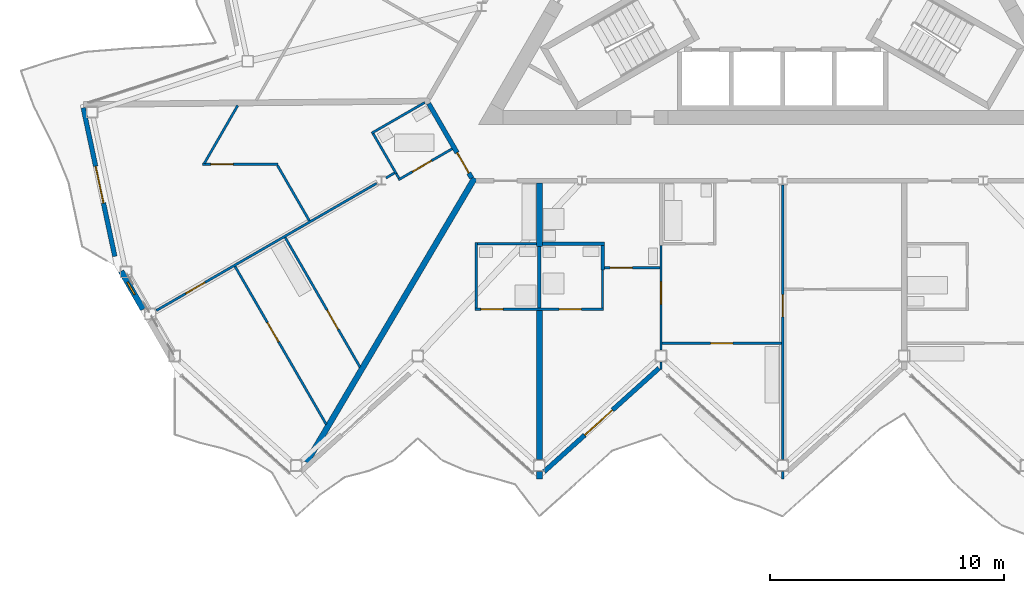
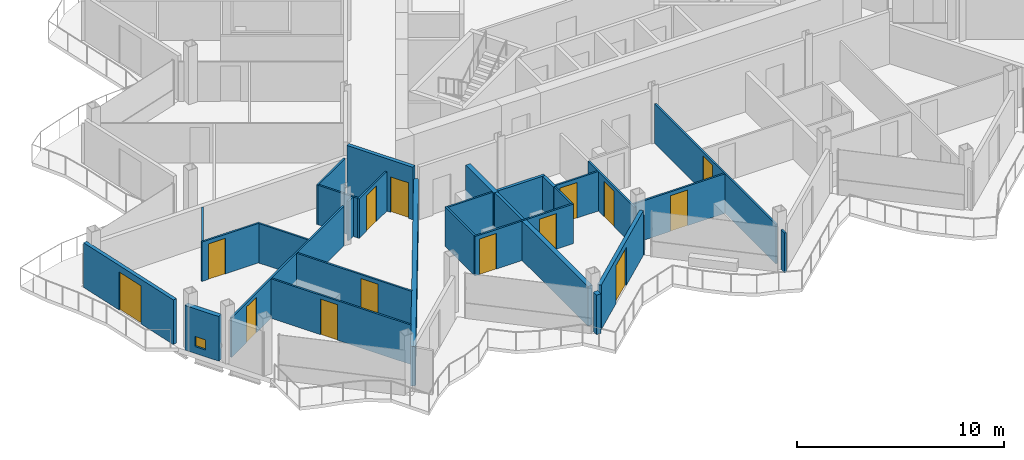
# One storey, part 12 of 26: 32 walls, 14 doors, 1 window, 15 openings.
"""IFC4 building model written with IfcOpenShell, lengths in metres."""

from ifc_helpers import new_model, si_unit, direction, frame, frame_2d, origin, place, context, subcontext, project, spatial, rectangle, extrude, material, layer, layer_set, type_object, element, fill, save


model = new_model("IFC4")

# Units and contexts
model_context = context("Model", 3, precision=1e-05, world=origin(), true_north=direction((0.0, 1.0)))
body_context = subcontext(model_context, "Body", "Model", "MODEL_VIEW")
ifc_project = project(units=[si_unit("LENGTHUNIT", "METRE"), si_unit("AREAUNIT", "SQUARE_METRE"), si_unit("VOLUMEUNIT", "CUBIC_METRE"), si_unit("PLANEANGLEUNIT", "RADIAN"), si_unit("MASSUNIT", "GRAM", prefix="KILO")], contexts=[model_context])

# Site, building, storey
site_placement = place(None, origin())
site = spatial("IfcSite", under=ifc_project, at=site_placement, CompositionType="ELEMENT")
building_placement = place(site_placement, origin())
building = spatial("IfcBuilding", under=site, at=building_placement, Name="Cormorant Prow Tower", CompositionType="ELEMENT")
storey_placement = place(building_placement, frame((0.0, 0.0, 374.60009765625)))
storey = spatial("IfcBuildingStorey", under=building, at=storey_placement, Name="L84", CompositionType="ELEMENT", Elevation=374.60009765625)

# Wall, opening, door
ifc_material_1 = material(Name="Gypsum board corridor wall")
ifc_layer_1 = layer(ifc_material_1, 0.199951171875)
ifc_layer_set_1 = layer_set([ifc_layer_1], Name="Gypsum board corridor wall")
wall_type_1 = type_object("IfcWallType", Name="Corridor wall 200", PredefinedType="PARTITIONING", material=ifc_layer_set_1)
wall_1_placement = place(storey_placement, frame((-15.13134765625, -6.61376953125, 0.0), z_axis=(0.0, 0.0, 1.0), x_axis=(0.499967746641, -0.866044024469, 0.0)))
wall_1 = element("IfcWall", 1, at=wall_1_placement, inside=storey, type_object=wall_type_1, Name="Corridor wall", PredefinedType="PARTITIONING", context=body_context, shape_type="SweptSolid", body=[
    extrude(rectangle(XDim=3.676025390625, YDim=0.199951171875, at=frame_2d((1.837890625, 0.0))), origin(), (0.0, 0.0, 1.0), 3.099853515625),
])
opening_1_placement = place(wall_1_placement, frame((2.426025390625, 0.0, 0.0)))
opening_1 = element("IfcOpeningElement", 2, at=opening_1_placement, cuts=wall_1, Name="Opening L84-F53", PredefinedType="OPENING", context=body_context, shape_type="SweptSolid", body=[
    extrude(rectangle(XDim=1.0, YDim=2.10009765625, at=frame_2d((0.5, 1.050048828125))), frame((0.0, 0.10986328125, 0.0), z_axis=(0.0, -1.0, 0.0), x_axis=(1.0, 0.0, 0.0)), (0.0, 0.0, 1.0), 0.219970703125),
])
ifc_material_2 = material(Name="Timber door leaf", Category="wood")
door_type_1 = type_object("IfcDoorType", Name="Flat or room entrance door 1000x2100", OperationType="NOTDEFINED", PredefinedType="DOOR", material=ifc_material_2)
door_1_placement = place(opening_1_placement, origin())
door_1 = element("IfcDoor", 3, at=door_1_placement, inside=storey, type_object=door_type_1, Name="Living room door", OperationType="SINGLE_SWING_RIGHT", OverallHeight=2.10009765625, OverallWidth=1.0, PredefinedType="DOOR", context=body_context, shape_type="SweptSolid", body=[
    extrude(rectangle(XDim=1.0, YDim=2.10009765625, at=frame_2d((0.5, 1.050048828125))), frame((0.0, 0.02490234375, 0.0), z_axis=(0.0, -1.0, 0.0), x_axis=(1.0, 0.0, 0.0)), (0.0, 0.0, 1.0), 0.050048828125),
])
fill(opening_1, door_1)

ifc_material_3 = material(Name="Gypsum board partition")
ifc_layer_2 = layer(ifc_material_3, 0.10009765625)
ifc_layer_set_2 = layer_set([ifc_layer_2], Name="Gypsum board partition")
wall_type_2 = type_object("IfcWallType", Name="Internal partition 100", PredefinedType="PARTITIONING", material=ifc_layer_set_2)
wall_2_placement = place(storey_placement, frame((0.0, -21.827880859375, 0.0), z_axis=(0.0, 0.0, 1.0), x_axis=(0.0, 1.0, 0.0)))
wall_2 = element("IfcWall", 4, at=wall_2_placement, inside=storey, type_object=wall_type_2, Name="Internal partition", PredefinedType="PARTITIONING", context=body_context, shape_type="SweptSolid", body=[
    extrude(rectangle(XDim=11.725341796875, YDim=0.10009765625, at=frame_2d((5.86279296875, 0.0))), origin(), (0.0, 0.0, 1.0), 2.330078125),
])
opening_2_placement = place(wall_2_placement, frame((6.0927734375, 0.0, 0.0)))
opening_2 = element("IfcOpeningElement", 5, at=opening_2_placement, cuts=wall_2, Name="Opening L84-F08", PredefinedType="OPENING", context=body_context, shape_type="SweptSolid", body=[
    extrude(rectangle(XDim=0.949951171875, YDim=2.10009765625, at=frame_2d((0.47509765625, 1.050048828125))), frame((0.0, 0.06005859375, 0.0), z_axis=(0.0, -1.0, 0.0), x_axis=(1.0, 0.0, 0.0)), (0.0, 0.0, 1.0), 0.1201171875),
])
ifc_material_4 = material(Name="Timber door leaf", Category="wood")
door_type_2 = type_object("IfcDoorType", Name="Bathroom door 950x2100", OperationType="NOTDEFINED", PredefinedType="DOOR", material=ifc_material_4)
door_2_placement = place(opening_2_placement, origin())
door_2 = element("IfcDoor", 6, at=door_2_placement, inside=storey, type_object=door_type_2, Name="Living room door", OperationType="SINGLE_SWING_RIGHT", OverallHeight=2.10009765625, OverallWidth=0.949951171875, PredefinedType="DOOR", context=body_context, shape_type="SweptSolid", body=[
    extrude(rectangle(XDim=0.949951171875, YDim=2.10009765625, at=frame_2d((0.47509765625, 1.050048828125))), frame((0.0, 0.02490234375, 0.0), z_axis=(0.0, -1.0, 0.0), x_axis=(1.0, 0.0, 0.0)), (0.0, 0.0, 1.0), 0.050048828125),
])
fill(opening_2, door_2)

wall_3_placement = place(storey_placement, frame((-26.77685546875, -15.459716796875, 0.0), z_axis=(0.0, 0.0, 1.0), x_axis=(0.866019680922, 0.500009912158, 0.0)))
wall_3 = element("IfcWall", 7, at=wall_3_placement, inside=storey, type_object=wall_type_2, Name="Internal partition", PredefinedType="PARTITIONING", context=body_context, shape_type="SweptSolid", body=[
    extrude(rectangle(XDim=10.880615234375, YDim=0.10009765625, at=frame_2d((5.4404296875, 0.0))), origin(), (0.0, 0.0, 1.0), 2.330078125),
])
opening_3_placement = place(wall_3_placement, frame((1.453857421875, 0.0, 0.0)))
opening_3 = element("IfcOpeningElement", 8, at=opening_3_placement, cuts=wall_3, Name="Opening L84-F57", PredefinedType="OPENING", context=body_context, shape_type="SweptSolid", body=[
    extrude(rectangle(XDim=0.949951171875, YDim=2.10009765625, at=frame_2d((0.47509765625, 1.050048828125))), frame((0.0, 0.06005859375, 0.0), z_axis=(0.0, -1.0, 0.0), x_axis=(1.0, 0.0, 0.0)), (0.0, 0.0, 1.0), 0.1201171875),
])
door_3_placement = place(opening_3_placement, origin())
door_3 = element("IfcDoor", 9, at=door_3_placement, inside=storey, type_object=door_type_2, Name="Dining room door", OperationType="SINGLE_SWING_LEFT", OverallHeight=2.10009765625, OverallWidth=0.949951171875, PredefinedType="DOOR", context=body_context, shape_type="SweptSolid", body=[
    extrude(rectangle(XDim=0.949951171875, YDim=2.10009765625, at=frame_2d((0.47509765625, 1.050048828125))), frame((0.0, 0.02490234375, 0.0), z_axis=(0.0, -1.0, 0.0), x_axis=(1.0, 0.0, 0.0)), (0.0, 0.0, 1.0), 0.050048828125),
])
fill(opening_3, door_3)

wall_4_placement = place(storey_placement, frame((-23.41259765625, -13.574951171875, 0.0), z_axis=(0.0, 0.0, 1.0), x_axis=(0.499998958472, -0.86602600511, 0.0)))
wall_4 = element("IfcWall", 10, at=wall_4_placement, inside=storey, type_object=wall_type_2, Name="Internal partition", PredefinedType="PARTITIONING", context=body_context, shape_type="SweptSolid", body=[
    extrude(rectangle(XDim=7.7958984375, YDim=0.10009765625, at=frame_2d((3.89794921875, 0.0))), origin(), (0.0, 0.0, 1.0), 2.330078125),
])
opening_4_placement = place(wall_4_placement, frame((2.76806640625, 0.0, 0.0)))
opening_4 = element("IfcOpeningElement", 11, at=opening_4_placement, cuts=wall_4, Name="Opening L84-F56", PredefinedType="OPENING", context=body_context, shape_type="SweptSolid", body=[
    extrude(rectangle(XDim=0.949951171875, YDim=2.10009765625, at=frame_2d((0.47509765625, 1.050048828125))), frame((0.0, 0.06005859375, 0.0), z_axis=(0.0, -1.0, 0.0), x_axis=(1.0, 0.0, 0.0)), (0.0, 0.0, 1.0), 0.1201171875),
])
door_4_placement = place(opening_4_placement, origin())
door_4 = element("IfcDoor", 12, at=door_4_placement, inside=storey, type_object=door_type_2, Name="Kitchen door", OperationType="SINGLE_SWING_LEFT", OverallHeight=2.10009765625, OverallWidth=0.949951171875, PredefinedType="DOOR", context=body_context, shape_type="SweptSolid", body=[
    extrude(rectangle(XDim=0.949951171875, YDim=2.10009765625, at=frame_2d((0.47509765625, 1.050048828125))), frame((0.0, 0.02490234375, 0.0), z_axis=(0.0, -1.0, 0.0), x_axis=(1.0, 0.0, 0.0)), (0.0, 0.0, 1.0), 0.050048828125),
])
fill(opening_4, door_4)

wall_5_placement = place(storey_placement, frame((-21.269287109375, -12.33740234375, 0.0), z_axis=(0.0, 0.0, 1.0), x_axis=(0.499983315828, -0.866035036182, 0.0)))
wall_5 = element("IfcWall", 13, at=wall_5_placement, inside=storey, type_object=wall_type_2, Name="Internal partition", PredefinedType="PARTITIONING", context=body_context, shape_type="SweptSolid", body=[
    extrude(rectangle(XDim=6.400146484375, YDim=0.10009765625, at=frame_2d((3.2001953125, 0.0))), origin(), (0.0, 0.0, 1.0), 2.330078125),
])
opening_5_placement = place(wall_5_placement, frame((3.583740234375, 0.0, 0.0)))
opening_5 = element("IfcOpeningElement", 14, at=opening_5_placement, cuts=wall_5, Name="Opening L84-F55", PredefinedType="OPENING", context=body_context, shape_type="SweptSolid", body=[
    extrude(rectangle(XDim=0.949951171875, YDim=2.10009765625, at=frame_2d((0.47509765625, 1.050048828125))), frame((0.0, 0.06005859375, 0.0), z_axis=(0.0, -1.0, 0.0), x_axis=(1.0, 0.0, 0.0)), (0.0, 0.0, 1.0), 0.1201171875),
])
door_5_placement = place(opening_5_placement, origin())
door_5 = element("IfcDoor", 15, at=door_5_placement, inside=storey, type_object=door_type_2, Name="Living room door", OperationType="SINGLE_SWING_LEFT", OverallHeight=2.10009765625, OverallWidth=0.949951171875, PredefinedType="DOOR", context=body_context, shape_type="SweptSolid", body=[
    extrude(rectangle(XDim=0.949951171875, YDim=2.10009765625, at=frame_2d((0.47509765625, 1.050048828125))), frame((0.0, 0.02490234375, 0.0), z_axis=(0.0, -1.0, 0.0), x_axis=(1.0, 0.0, 0.0)), (0.0, 0.0, 1.0), 0.050048828125),
])
fill(opening_5, door_5)

# Wall, openings, doors
wall_6_placement = place(storey_placement, frame((-13.14990234375, -15.405517578125, 0.0), z_axis=(0.0, 0.0, 1.0), x_axis=(1.0, 0.0, 0.0)))
wall_6 = element("IfcWall", 16, at=wall_6_placement, inside=storey, type_object=wall_type_2, Name="Internal partition", PredefinedType="PARTITIONING", context=body_context, shape_type="SweptSolid", body=[
    extrude(rectangle(XDim=5.5, YDim=0.10009765625, at=frame_2d((2.75, 0.0))), origin(), (0.0, 0.0, 1.0), 2.330078125),
])
opening_6_placement = place(wall_6_placement, frame((0.25, 0.0, 0.0)))
opening_6 = element("IfcOpeningElement", 17, at=opening_6_placement, cuts=wall_6, Name="Opening L84-F02", PredefinedType="OPENING", context=body_context, shape_type="SweptSolid", body=[
    extrude(rectangle(XDim=0.949951171875, YDim=2.10009765625, at=frame_2d((0.47509765625, 1.050048828125))), frame((0.0, 0.06005859375, 0.0), z_axis=(0.0, -1.0, 0.0), x_axis=(1.0, 0.0, 0.0)), (0.0, 0.0, 1.0), 0.1201171875),
])
opening_7_placement = place(wall_6_placement, frame((3.59130859375, 0.0, 0.0)))
opening_7 = element("IfcOpeningElement", 18, at=opening_7_placement, cuts=wall_6, Name="Opening L84-F10", PredefinedType="OPENING", context=body_context, shape_type="SweptSolid", body=[
    extrude(rectangle(XDim=0.949951171875, YDim=2.10009765625, at=frame_2d((0.47509765625, 1.050048828125))), frame((0.0, 0.06005859375, 0.0), z_axis=(0.0, -1.0, 0.0), x_axis=(1.0, 0.0, 0.0)), (0.0, 0.0, 1.0), 0.1201171875),
])
door_6_placement = place(opening_6_placement, origin())
door_6 = element("IfcDoor", 19, at=door_6_placement, inside=storey, type_object=door_type_2, Name="Studio living, kitchen and sleeping room door", OperationType="SINGLE_SWING_LEFT", OverallHeight=2.10009765625, OverallWidth=0.949951171875, PredefinedType="DOOR", context=body_context, shape_type="SweptSolid", body=[
    extrude(rectangle(XDim=0.949951171875, YDim=2.10009765625, at=frame_2d((0.47509765625, 1.050048828125))), frame((0.0, 0.02490234375, 0.0), z_axis=(0.0, -1.0, 0.0), x_axis=(1.0, 0.0, 0.0)), (0.0, 0.0, 1.0), 0.050048828125),
])
fill(opening_6, door_6)
door_7_placement = place(opening_7_placement, origin())
door_7 = element("IfcDoor", 20, at=door_7_placement, inside=storey, type_object=door_type_2, Name="Bedroom door", OperationType="SINGLE_SWING_LEFT", OverallHeight=2.10009765625, OverallWidth=0.949951171875, PredefinedType="DOOR", context=body_context, shape_type="SweptSolid", body=[
    extrude(rectangle(XDim=0.949951171875, YDim=2.10009765625, at=frame_2d((0.47509765625, 1.050048828125))), frame((0.0, 0.02490234375, 0.0), z_axis=(0.0, -1.0, 0.0), x_axis=(1.0, 0.0, 0.0)), (0.0, 0.0, 1.0), 0.050048828125),
])
fill(opening_7, door_7)

# Wall, opening, door
wall_7_placement = place(storey_placement, frame((-5.14990234375, -16.863037109375, 0.0), z_axis=(0.0, 0.0, 1.0), x_axis=(1.0, 0.0, 0.0)))
wall_7 = element("IfcWall", 21, at=wall_7_placement, inside=storey, type_object=wall_type_2, Name="Internal partition", PredefinedType="PARTITIONING", context=body_context, shape_type="SweptSolid", body=[
    extrude(rectangle(XDim=5.099853515625, YDim=0.10009765625, at=frame_2d((2.5498046875, 0.0))), origin(), (0.0, 0.0, 1.0), 2.330078125),
])
opening_8_placement = place(wall_7_placement, frame((2.074951171875, 0.0, 0.0)))
opening_8 = element("IfcOpeningElement", 22, at=opening_8_placement, cuts=wall_7, Name="Opening L84-F05", PredefinedType="OPENING", context=body_context, shape_type="SweptSolid", body=[
    extrude(rectangle(XDim=0.949951171875, YDim=2.10009765625, at=frame_2d((0.47509765625, 1.050048828125))), frame((0.0, 0.06005859375, 0.0), z_axis=(0.0, -1.0, 0.0), x_axis=(1.0, 0.0, 0.0)), (0.0, 0.0, 1.0), 0.1201171875),
])
door_8_placement = place(opening_8_placement, origin())
door_8 = element("IfcDoor", 23, at=door_8_placement, inside=storey, type_object=door_type_2, Name="Living room door", OperationType="SINGLE_SWING_RIGHT", OverallHeight=2.10009765625, OverallWidth=0.949951171875, PredefinedType="DOOR", context=body_context, shape_type="SweptSolid", body=[
    extrude(rectangle(XDim=0.949951171875, YDim=2.10009765625, at=frame_2d((0.47509765625, 1.050048828125))), frame((0.0, 0.02490234375, 0.0), z_axis=(0.0, -1.0, 0.0), x_axis=(1.0, 0.0, 0.0)), (0.0, 0.0, 1.0), 0.050048828125),
])
fill(opening_8, door_8)

wall_8_placement = place(storey_placement, frame((-5.199951171875, -17.145751953125, 0.0), z_axis=(0.0, 0.0, 1.0), x_axis=(0.0, 1.0, 0.0)))
wall_8 = element("IfcWall", 24, at=wall_8_placement, inside=storey, type_object=wall_type_2, Name="Internal partition", PredefinedType="PARTITIONING", context=body_context, shape_type="SweptSolid", body=[
    extrude(rectangle(XDim=4.465087890625, YDim=0.10009765625, at=frame_2d((2.232421875, 0.0))), origin(), (0.0, 0.0, 1.0), 2.330078125),
])
opening_9_placement = place(wall_8_placement, frame((1.95849609375, 0.0, 0.0)))
opening_9 = element("IfcOpeningElement", 25, at=opening_9_placement, cuts=wall_8, Name="Opening L84-F06", PredefinedType="OPENING", context=body_context, shape_type="SweptSolid", body=[
    extrude(rectangle(XDim=0.949951171875, YDim=2.10009765625, at=frame_2d((0.47509765625, 1.050048828125))), frame((0.0, 0.06005859375, 0.0), z_axis=(0.0, -1.0, 0.0), x_axis=(1.0, 0.0, 0.0)), (0.0, 0.0, 1.0), 0.1201171875),
])
door_9_placement = place(opening_9_placement, origin())
door_9 = element("IfcDoor", 26, at=door_9_placement, inside=storey, type_object=door_type_2, Name="Living room door", OperationType="SINGLE_SWING_RIGHT", OverallHeight=2.10009765625, OverallWidth=0.949951171875, PredefinedType="DOOR", context=body_context, shape_type="SweptSolid", body=[
    extrude(rectangle(XDim=0.949951171875, YDim=2.10009765625, at=frame_2d((0.47509765625, 1.050048828125))), frame((0.0, 0.02490234375, 0.0), z_axis=(0.0, -1.0, 0.0), x_axis=(1.0, 0.0, 0.0)), (0.0, 0.0, 1.0), 0.050048828125),
])
fill(opening_9, door_9)

wall_9_placement = place(storey_placement, frame((-24.80078125, -9.21240234375, 0.0), z_axis=(0.0, 0.0, 1.0), x_axis=(1.0, 0.0, 0.0)))
wall_9 = element("IfcWall", 27, at=wall_9_placement, inside=storey, type_object=wall_type_2, Name="Internal partition", PredefinedType="PARTITIONING", context=body_context, shape_type="SweptSolid", body=[
    extrude(rectangle(XDim=3.2255859375, YDim=0.10009765625, at=frame_2d((1.61279296875, 0.0))), origin(), (0.0, 0.0, 1.0), 2.330078125),
])
opening_10_placement = place(wall_9_placement, frame((0.3544921875, 0.0, 0.0)))
opening_10 = element("IfcOpeningElement", 28, at=opening_10_placement, cuts=wall_9, Name="Opening L84-F58", PredefinedType="OPENING", context=body_context, shape_type="SweptSolid", body=[
    extrude(rectangle(XDim=0.949951171875, YDim=2.10009765625, at=frame_2d((0.47509765625, 1.050048828125))), frame((0.0, 0.06005859375, 0.0), z_axis=(0.0, -1.0, 0.0), x_axis=(1.0, 0.0, 0.0)), (0.0, 0.0, 1.0), 0.1201171875),
])
door_10_placement = place(opening_10_placement, origin())
door_10 = element("IfcDoor", 29, at=door_10_placement, inside=storey, type_object=door_type_2, Name="Principal bedroom door", OperationType="SINGLE_SWING_LEFT", OverallHeight=2.10009765625, OverallWidth=0.949951171875, PredefinedType="DOOR", context=body_context, shape_type="SweptSolid", body=[
    extrude(rectangle(XDim=0.949951171875, YDim=2.10009765625, at=frame_2d((0.47509765625, 1.050048828125))), frame((0.0, 0.02490234375, 0.0), z_axis=(0.0, -1.0, 0.0), x_axis=(1.0, 0.0, 0.0)), (0.0, 0.0, 1.0), 0.050048828125),
])
fill(opening_10, door_10)

# Walls
wall_10_placement = place(storey_placement, frame((-24.725830078125, -9.169189453125, 0.0), z_axis=(0.0, 0.0, 1.0), x_axis=(0.499971481985, 0.866041868042, 0.0)))
element("IfcWall", 30, at=wall_10_placement, inside=storey, type_object=wall_type_2, Name="Internal partition", PredefinedType="PARTITIONING", context=body_context, shape_type="SweptSolid", body=[
    extrude(rectangle(XDim=2.857177734375, YDim=0.10009765625, at=frame_2d((1.4287109375, 0.0))), origin(), (0.0, 0.0, 1.0), 2.330078125),
])
wall_11_placement = place(storey_placement, frame((-21.60009765625, -9.255859375, 0.0), z_axis=(0.0, 0.0, 1.0), x_axis=(0.500018733116, -0.866014587945, 0.0)))
element("IfcWall", 31, at=wall_11_placement, inside=storey, type_object=wall_type_2, Name="Internal partition", PredefinedType="PARTITIONING", context=body_context, shape_type="SweptSolid", body=[
    extrude(rectangle(XDim=2.734375, YDim=0.10009765625, at=frame_2d((1.3671875, 0.0))), origin(), (0.0, 0.0, 1.0), 2.330078125),
])
wall_12_placement = place(storey_placement, frame((-13.10009765625, -15.355712890625, 0.0), z_axis=(0.0, 0.0, 1.0), x_axis=(0.0, 1.0, 0.0)))
element("IfcWall", 32, at=wall_12_placement, inside=storey, type_object=wall_type_2, Name="Internal partition", PredefinedType="PARTITIONING", context=body_context, shape_type="SweptSolid", body=[
    extrude(rectangle(XDim=2.800048828125, YDim=0.10009765625, at=frame_2d((1.39990234375, 0.0))), origin(), (0.0, 0.0, 1.0), 2.330078125),
])
wall_13_placement = place(storey_placement, frame((-17.575439453125, -7.880615234375, 0.0), z_axis=(0.0, 0.0, 1.0), x_axis=(0.866036909293, 0.499980071345, 0.0)))
element("IfcWall", 33, at=wall_13_placement, inside=storey, type_object=wall_type_2, Name="Internal partition", PredefinedType="PARTITIONING", context=body_context, shape_type="SweptSolid", body=[
    extrude(rectangle(XDim=2.625, YDim=0.10009765625, at=frame_2d((1.3125, 0.0))), origin(), (0.0, 0.0, 1.0), 2.330078125),
])
wall_14_placement = place(storey_placement, frame((-13.050048828125, -12.605712890625, 0.0), z_axis=(0.0, 0.0, 1.0), x_axis=(1.0, 0.0, 0.0)))
element("IfcWall", 34, at=wall_14_placement, inside=storey, type_object=wall_type_2, Name="Internal partition", PredefinedType="PARTITIONING", context=body_context, shape_type="SweptSolid", body=[
    extrude(rectangle(XDim=2.525146484375, YDim=0.10009765625, at=frame_2d((1.2626953125, 0.0))), origin(), (0.0, 0.0, 1.0), 2.330078125),
])

# Wall, opening, door
wall_15_placement = place(storey_placement, frame((-16.4248046875, -9.871826171875, 0.0), z_axis=(0.0, 0.0, 1.0), x_axis=(0.86603978909, 0.499975083092, 0.0)))
wall_15 = element("IfcWall", 35, at=wall_15_placement, inside=storey, type_object=wall_type_2, Name="Internal partition", PredefinedType="PARTITIONING", context=body_context, shape_type="SweptSolid", body=[
    extrude(rectangle(XDim=2.649169921875, YDim=0.10009765625, at=frame_2d((1.32470703125, 0.0))), origin(), (0.0, 0.0, 1.0), 2.330078125),
])
opening_11_placement = place(wall_15_placement, frame((0.68603515625, 0.0, 0.0)))
opening_11 = element("IfcOpeningElement", 36, at=opening_11_placement, cuts=wall_15, Name="Opening L84-F54", PredefinedType="OPENING", context=body_context, shape_type="SweptSolid", body=[
    extrude(rectangle(XDim=0.949951171875, YDim=2.10009765625, at=frame_2d((0.47509765625, 1.050048828125))), frame((0.0, 0.06005859375, 0.0), z_axis=(0.0, -1.0, 0.0), x_axis=(1.0, 0.0, 0.0)), (0.0, 0.0, 1.0), 0.1201171875),
])
door_11_placement = place(opening_11_placement, origin())
door_11 = element("IfcDoor", 37, at=door_11_placement, inside=storey, type_object=door_type_2, Name="Living room door", OperationType="SINGLE_SWING_LEFT", OverallHeight=2.10009765625, OverallWidth=0.949951171875, PredefinedType="DOOR", context=body_context, shape_type="SweptSolid", body=[
    extrude(rectangle(XDim=0.949951171875, YDim=2.10009765625, at=frame_2d((0.47509765625, 1.050048828125))), frame((0.0, 0.02490234375, 0.0), z_axis=(0.0, -1.0, 0.0), x_axis=(1.0, 0.0, 0.0)), (0.0, 0.0, 1.0), 0.050048828125),
])
fill(opening_11, door_11)

wall_16_placement = place(storey_placement, frame((-7.625, -13.63720703125, 0.0), z_axis=(0.0, 0.0, 1.0), x_axis=(1.0, 0.0, 0.0)))
wall_16 = element("IfcWall", 38, at=wall_16_placement, inside=storey, type_object=wall_type_2, Name="Internal partition", PredefinedType="PARTITIONING", context=body_context, shape_type="SweptSolid", body=[
    extrude(rectangle(XDim=2.375, YDim=0.10009765625, at=frame_2d((1.1875, 0.0))), origin(), (0.0, 0.0, 1.0), 2.330078125),
])
opening_12_placement = place(wall_16_placement, frame((0.25, 0.0, 0.0)))
opening_12 = element("IfcOpeningElement", 39, at=opening_12_placement, cuts=wall_16, Name="Opening L84-F07", PredefinedType="OPENING", context=body_context, shape_type="SweptSolid", body=[
    extrude(rectangle(XDim=0.949951171875, YDim=2.10009765625, at=frame_2d((0.47509765625, 1.050048828125))), frame((0.0, 0.06005859375, 0.0), z_axis=(0.0, -1.0, 0.0), x_axis=(1.0, 0.0, 0.0)), (0.0, 0.0, 1.0), 0.1201171875),
])
door_12_placement = place(opening_12_placement, origin())
door_12 = element("IfcDoor", 40, at=door_12_placement, inside=storey, type_object=door_type_2, Name="Bedroom door", OperationType="SINGLE_SWING_LEFT", OverallHeight=2.10009765625, OverallWidth=0.949951171875, PredefinedType="DOOR", context=body_context, shape_type="SweptSolid", body=[
    extrude(rectangle(XDim=0.949951171875, YDim=2.10009765625, at=frame_2d((0.47509765625, 1.050048828125))), frame((0.0, 0.02490234375, 0.0), z_axis=(0.0, -1.0, 0.0), x_axis=(1.0, 0.0, 0.0)), (0.0, 0.0, 1.0), 0.050048828125),
])
fill(opening_12, door_12)

# Walls
wall_17_placement = place(storey_placement, frame((-17.507080078125, -7.898681640625, 0.0), z_axis=(0.0, 0.0, 1.0), x_axis=(0.500011643316, -0.866018681408, 0.0)))
element("IfcWall", 41, at=wall_17_placement, inside=storey, type_object=wall_type_2, Name="Internal partition", PredefinedType="PARTITIONING", context=body_context, shape_type="SweptSolid", body=[
    extrude(rectangle(XDim=1.97314453125, YDim=0.10009765625, at=frame_2d((0.986572265625, 0.0))), origin(), (0.0, 0.0, 1.0), 2.330078125),
])
wall_18_placement = place(storey_placement, frame((-7.699951171875, -15.355712890625, 0.0), z_axis=(0.0, 0.0, 1.0), x_axis=(0.0, 1.0, 0.0)))
element("IfcWall", 42, at=wall_18_placement, inside=storey, type_object=wall_type_2, Name="Internal partition", PredefinedType="PARTITIONING", context=body_context, shape_type="SweptSolid", body=[
    extrude(rectangle(XDim=1.653564453125, YDim=0.10009765625, at=frame_2d((0.82666015625, 0.0))), origin(), (0.0, 0.0, 1.0), 2.330078125),
])
wall_19_placement = place(storey_placement, frame((-16.9599609375, -9.791748046875, 0.0), z_axis=(0.0, 0.0, 1.0), x_axis=(0.866137484628, 0.499805820016, 0.0)))
element("IfcWall", 43, at=wall_19_placement, inside=storey, type_object=wall_type_2, Name="Internal partition", PredefinedType="PARTITIONING", context=body_context, shape_type="SweptSolid", body=[
    extrude(rectangle(XDim=0.422607421875, YDim=0.10009765625, at=frame_2d((0.21142578125, 0.0))), origin(), (0.0, 0.0, 1.0), 2.330078125),
])
for number, where, z_axis, x_axis, name in (
    (44, (-5.199951171875, -17.9833984375, 0.0), (0.0, 0.0, 1.0), (0.0, 1.0, 0.0), "Internal partition"),
    (45, (0.0, -22.66552734375, 0.0), (0.0, 0.0, 1.0), (0.0, 1.0, 0.0), "Internal partition"),
):
    element("IfcWall", number, at=place(storey_placement, frame(where, z_axis=z_axis, x_axis=x_axis)), inside=storey, type_object=wall_type_2, Name=name, PredefinedType="PARTITIONING", context=body_context, shape_type="SweptSolid", body=[
        extrude(rectangle(XDim=0.317626953125, YDim=0.10009765625, at=frame_2d((0.15869140625, 0.0))), origin(), (0.0, 0.0, 1.0), 2.330078125),
    ])
wall_20_placement = place(storey_placement, frame((-16.519287109375, -9.609619140625, 0.0), z_axis=(0.0, 0.0, 1.0), x_axis=(0.50245032488, -0.864606078528, 0.0)))
element("IfcWall", 46, at=wall_20_placement, inside=storey, type_object=wall_type_2, Name="Internal partition", PredefinedType="PARTITIONING", context=body_context, shape_type="SweptSolid", body=[
    extrude(rectangle(XDim=0.224365234375, YDim=0.10009765625, at=frame_2d((0.1123046875, 0.0))), origin(), (0.0, 0.0, 1.0), 2.330078125),
])
ifc_material_5 = material(Name="Acoustic gypsum party wall")
ifc_layer_3 = layer(ifc_material_5, 0.25)
ifc_layer_set_3 = layer_set([ifc_layer_3], Name="Acoustic gypsum party wall")
wall_type_3 = type_object("IfcWallType", Name="Suite party wall 250", PredefinedType="PARTITIONING", material=ifc_layer_set_3)
wall_21_placement = place(storey_placement, frame((-20.351318359375, -21.9560546875, 0.0), z_axis=(0.0, 0.0, 1.0), x_axis=(0.508713003719, 0.860936164793, 0.0)))
element("IfcWall", 47, at=wall_21_placement, inside=storey, type_object=wall_type_3, Name="Suite party wall", PredefinedType="PARTITIONING", context=body_context, shape_type="SweptSolid", body=[
    extrude(rectangle(XDim=14.1220703125, YDim=0.25, at=frame_2d((7.06103515625, 0.0))), origin(), (0.0, 0.0, 1.0), 2.330078125),
])
wall_22_placement = place(storey_placement, frame((-10.39990234375, -21.827880859375, 0.0), z_axis=(0.0, 0.0, 1.0), x_axis=(0.0, 1.0, 0.0)))
element("IfcWall", 48, at=wall_22_placement, inside=storey, type_object=wall_type_3, Name="Suite party wall", PredefinedType="PARTITIONING", context=body_context, shape_type="SweptSolid", body=[
    extrude(rectangle(XDim=6.372314453125, YDim=0.25, at=frame_2d((3.18603515625, 0.0))), origin(), (0.0, 0.0, 1.0), 2.330078125),
])
wall_23_placement = place(storey_placement, frame((-10.39990234375, -12.730712890625, 0.0), z_axis=(0.0, 0.0, 1.0), x_axis=(0.0, 1.0, 0.0)))
element("IfcWall", 49, at=wall_23_placement, inside=storey, type_object=wall_type_3, Name="Suite party wall", PredefinedType="PARTITIONING", context=body_context, shape_type="SweptSolid", body=[
    extrude(rectangle(XDim=2.72509765625, YDim=0.25, at=frame_2d((1.362548828125, 0.0))), origin(), (0.0, 0.0, 1.0), 2.330078125),
])
wall_24_placement = place(storey_placement, frame((-10.39990234375, -22.66552734375, 0.0), z_axis=(0.0, 0.0, 1.0), x_axis=(0.0, 1.0, 0.0)))
element("IfcWall", 50, at=wall_24_placement, inside=storey, type_object=wall_type_3, Name="Suite party wall", PredefinedType="PARTITIONING", context=body_context, shape_type="SweptSolid", body=[
    extrude(rectangle(XDim=0.317626953125, YDim=0.25, at=frame_2d((0.15869140625, 0.0))), origin(), (0.0, 0.0, 1.0), 2.330078125),
])

# Wall, opening, window
ifc_material_6 = material(Name="Terracotta", Category="masonry")
ifc_layer_4 = layer(ifc_material_6, 0.25)
ifc_layer_set_4 = layer_set([ifc_layer_4], Name="Terracotta")
wall_type_4 = type_object("IfcWallType", Name="Terracotta bay wall 250", PredefinedType="SOLIDWALL", material=ifc_layer_set_4)
wall_25_placement = place(storey_placement, frame((-28.282958984375, -13.779296875, 0.0), z_axis=(0.0, 0.0, 1.0), x_axis=(0.500044242988, -0.865999858577, 0.0)))
wall_25 = element("IfcWall", 51, at=wall_25_placement, inside=storey, type_object=wall_type_4, Name="Terracotta bay wall WSW00", PredefinedType="SOLIDWALL", context=body_context, shape_type="SweptSolid", body=[
    extrude(rectangle(XDim=1.882568359375, YDim=0.25, at=frame_2d((0.94140625, 0.0))), origin(), (0.0, 0.0, 1.0), 2.6337890625),
])
opening_13_placement = place(wall_25_placement, frame((0.550048828125, 0.0, 0.39990234375)))
opening_13 = element("IfcOpeningElement", 52, at=opening_13_placement, cuts=wall_25, Name="Opening WN10", PredefinedType="OPENING", context=body_context, shape_type="SweptSolid", body=[
    extrude(rectangle(XDim=0.60009765625, YDim=0.60009765625, at=frame_2d((0.300048828125, 0.300048828125))), frame((0.0, 0.135009765625, 0.0), z_axis=(0.0, -1.0, 0.0), x_axis=(1.0, 0.0, 0.0)), (0.0, 0.0, 1.0), 0.27001953125),
])
ifc_material_7 = material(Name="Aluminium 6063-T6", Category="aluminium")
window_type = type_object("IfcWindowType", Name="Corner bay window 600x600", PartitioningType="SINGLE_PANEL", PredefinedType="WINDOW", material=ifc_material_7)
window_placement = place(opening_13_placement, origin())
window = element("IfcWindow", 53, at=window_placement, inside=storey, type_object=window_type, Name="Corner bay window WSW00", OverallHeight=0.60009765625, OverallWidth=0.60009765625, PartitioningType="SINGLE_PANEL", PredefinedType="WINDOW", context=body_context, shape_type="SweptSolid", body=[
    extrude(rectangle(XDim=0.60009765625, YDim=0.60009765625, at=frame_2d((0.300048828125, 0.300048828125))), frame((0.0, 0.030029296875, 0.0), z_axis=(0.0, -1.0, 0.0), x_axis=(1.0, 0.0, 0.0)), (0.0, 0.0, 1.0), 0.06005859375),
])
fill(opening_13, window)

# Wall, opening, door
ifc_material_8 = material(Name="Terracotta", Category="masonry")
ifc_layer_5 = layer(ifc_material_8, 0.199951171875)
ifc_layer_set_5 = layer_set([ifc_layer_5], Name="Terracotta")
wall_type_5 = type_object("IfcWallType", Name="Terracotta jamb wall 200", PredefinedType="SOLIDWALL", material=ifc_layer_set_5)
wall_26_placement = place(storey_placement, frame((-10.19482421875, -22.346435546875, 0.0), z_axis=(0.0, 0.0, 1.0), x_axis=(0.74313432117, 0.66914227239, 0.0)))
wall_26 = element("IfcWall", 54, at=wall_26_placement, inside=storey, type_object=wall_type_5, Name="Terracotta jamb wall S03", PredefinedType="SOLIDWALL", context=body_context, shape_type="SweptSolid", body=[
    extrude(rectangle(XDim=6.60888671875, YDim=0.199951171875, at=frame_2d((3.304443359375, 0.0))), origin(), (0.0, 0.0, 1.0), 2.6337890625),
])
opening_14_placement = place(wall_26_placement, frame((2.332763671875, 0.0, 0.0)))
opening_14 = element("IfcOpeningElement", 55, at=opening_14_placement, cuts=wall_26, Name="Opening ED84.02", PredefinedType="OPENING", context=body_context, shape_type="SweptSolid", body=[
    extrude(rectangle(XDim=1.60009765625, YDim=2.25, at=frame_2d((0.800048828125, 1.125))), frame((0.0, 0.10986328125, 0.0), z_axis=(0.0, -1.0, 0.0), x_axis=(1.0, 0.0, 0.0)), (0.0, 0.0, 1.0), 0.219970703125),
])
ifc_material_9 = material(Name="Aluminium 6063-T6", Category="aluminium")
door_type_3 = type_object("IfcDoorType", Name="Balcony door 1600x2250", OperationType="DOUBLE_DOOR_SINGLE_SWING", PredefinedType="DOOR", material=ifc_material_9)
door_13_placement = place(opening_14_placement, origin())
door_13 = element("IfcDoor", 56, at=door_13_placement, inside=storey, type_object=door_type_3, Name="Balcony door S03 ED84.02", OperationType="DOUBLE_DOOR_SINGLE_SWING", OverallHeight=2.25, OverallWidth=1.60009765625, PredefinedType="DOOR", context=body_context, shape_type="SweptSolid", body=[
    extrude(rectangle(XDim=1.60009765625, YDim=2.25, at=frame_2d((0.800048828125, 1.125))), frame((0.0, 0.02490234375, 0.0), z_axis=(0.0, -1.0, 0.0), x_axis=(1.0, 0.0, 0.0)), (0.0, 0.0, 1.0), 0.050048828125),
])
fill(opening_14, door_13)

wall_27_placement = place(storey_placement, frame((-29.902587890625, -6.794677734375, 0.0), z_axis=(0.0, 0.0, 1.0), x_axis=(0.207923959653, -0.978144992832, 0.0)))
wall_27 = element("IfcWall", 57, at=wall_27_placement, inside=storey, type_object=wall_type_5, Name="Terracotta jamb wall WNW09", PredefinedType="SOLIDWALL", context=body_context, shape_type="SweptSolid", body=[
    extrude(rectangle(XDim=6.4931640625, YDim=0.199951171875, at=frame_2d((3.24658203125, 0.0))), origin(), (0.0, 0.0, 1.0), 2.6337890625),
])
opening_15_placement = place(wall_27_placement, frame((2.560791015625, 0.0, 0.0)))
opening_15 = element("IfcOpeningElement", 58, at=opening_15_placement, cuts=wall_27, Name="Opening ED84.15", PredefinedType="OPENING", context=body_context, shape_type="SweptSolid", body=[
    extrude(rectangle(XDim=1.60009765625, YDim=2.25, at=frame_2d((0.800048828125, 1.125))), frame((0.0, 0.10986328125, 0.0), z_axis=(0.0, -1.0, 0.0), x_axis=(1.0, 0.0, 0.0)), (0.0, 0.0, 1.0), 0.219970703125),
])
door_14_placement = place(opening_15_placement, origin())
door_14 = element("IfcDoor", 59, at=door_14_placement, inside=storey, type_object=door_type_3, Name="Balcony door WNW09 ED84.15", OperationType="DOUBLE_DOOR_SINGLE_SWING", OverallHeight=2.25, OverallWidth=1.60009765625, PredefinedType="DOOR", context=body_context, shape_type="SweptSolid", body=[
    extrude(rectangle(XDim=1.60009765625, YDim=2.25, at=frame_2d((0.800048828125, 1.125))), frame((0.0, 0.02490234375, 0.0), z_axis=(0.0, -1.0, 0.0), x_axis=(1.0, 0.0, 0.0)), (0.0, 0.0, 1.0), 0.050048828125),
])
fill(opening_15, door_14)

# Walls
ifc_material_10 = material(Name="Plasterboard wet wall with pipe chase")
ifc_layer_6 = layer(ifc_material_10, 0.14990234375)
ifc_layer_set_6 = layer_set([ifc_layer_6], Name="Plasterboard wet wall with pipe chase")
wall_type_6 = type_object("IfcWallType", Name="Wet wall 150", PredefinedType="PLUMBINGWALL", material=ifc_layer_set_6)
wall_28_placement = place(storey_placement, frame((-10.39990234375, -15.355712890625, 0.0), z_axis=(0.0, 0.0, 1.0), x_axis=(0.0, 1.0, 0.0)))
element("IfcWall", 60, at=wall_28_placement, inside=storey, type_object=wall_type_6, Name="Wet wall", PredefinedType="PLUMBINGWALL", context=body_context, shape_type="SweptSolid", body=[
    extrude(rectangle(XDim=2.625, YDim=0.14990234375, at=frame_2d((1.3125, 0.0))), origin(), (0.0, 0.0, 1.0), 2.330078125),
])
wall_29_placement = place(storey_placement, frame((-10.27490234375, -12.605712890625, 0.0), z_axis=(0.0, 0.0, 1.0), x_axis=(1.0, 0.0, 0.0)))
element("IfcWall", 61, at=wall_29_placement, inside=storey, type_object=wall_type_6, Name="Wet wall", PredefinedType="PLUMBINGWALL", context=body_context, shape_type="SweptSolid", body=[
    extrude(rectangle(XDim=2.64990234375, YDim=0.14990234375, at=frame_2d((1.324951171875, 0.0))), origin(), (0.0, 0.0, 1.0), 2.330078125),
])
wall_30_placement = place(storey_placement, frame((-7.699951171875, -13.72216796875, 0.0), z_axis=(0.0, 0.0, 1.0), x_axis=(0.0, 1.0, 0.0)))
element("IfcWall", 62, at=wall_30_placement, inside=storey, type_object=wall_type_6, Name="Wet wall", PredefinedType="PLUMBINGWALL", context=body_context, shape_type="SweptSolid", body=[
    extrude(rectangle(XDim=1.04150390625, YDim=0.14990234375, at=frame_2d((0.520751953125, 0.0))), origin(), (0.0, 0.0, 1.0), 2.330078125),
])

save(model, "model.ifc")
